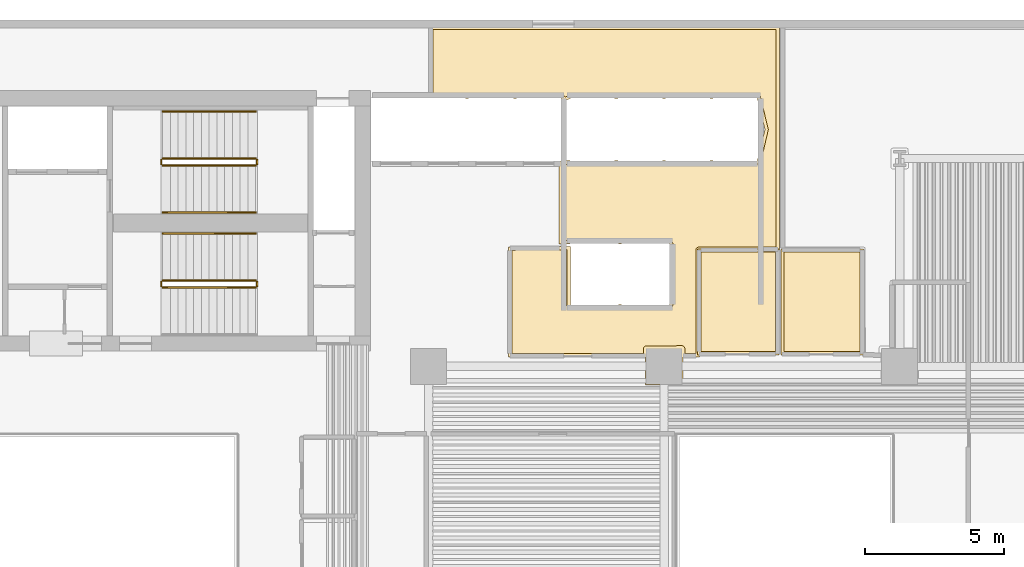
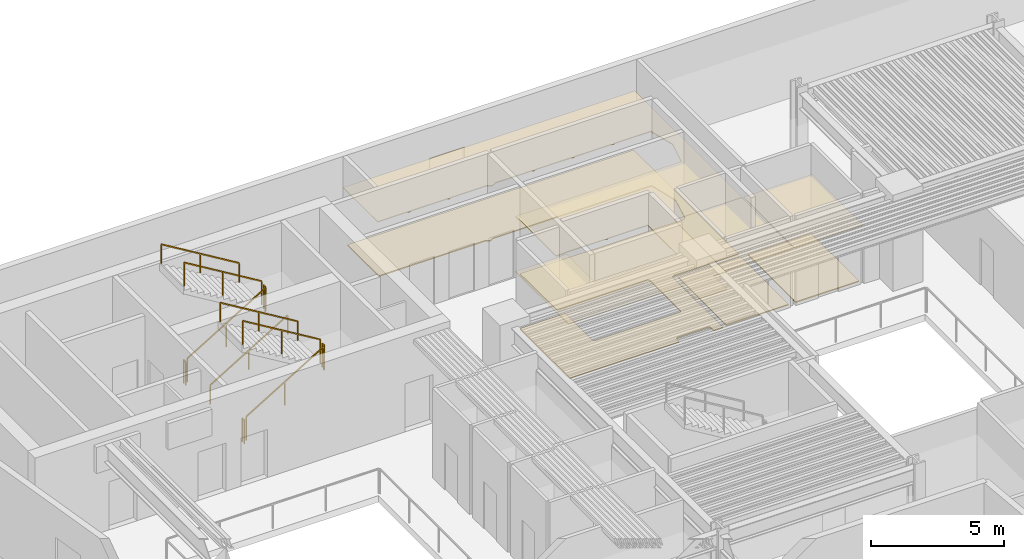
# One storey, part 10 of 11: 11 railings, 6 coverings.
"""IFC4 building model written with IfcOpenShell, lengths in metres."""

from ifc_helpers import new_model, si_unit, direction, frame, origin, origin_2d, place, context, subcontext, project, spatial, polyline, rectangle, outline, extrude, material, layer, layer_set, type_object, element, save


model = new_model("IFC4")

# Units and contexts
model_context = context("Model", 3, precision=1e-05, world=origin(), true_north=direction((0.0, 1.0)))
body_context = subcontext(model_context, "Body", "Model", "MODEL_VIEW")
ifc_project = project(units=[si_unit("LENGTHUNIT", "METRE"), si_unit("AREAUNIT", "SQUARE_METRE"), si_unit("VOLUMEUNIT", "CUBIC_METRE"), si_unit("PLANEANGLEUNIT", "RADIAN"), si_unit("MASSUNIT", "GRAM", prefix="KILO")], contexts=[model_context])

# Site, building, storey
site_placement = place(None, origin())
site = spatial("IfcSite", under=ifc_project, at=site_placement, CompositionType="ELEMENT")
building_placement = place(site_placement, origin())
building = spatial("IfcBuilding", under=site, at=building_placement, Name="Caeloran Harvest Quay", CompositionType="ELEMENT")
storey_placement = place(building_placement, frame((0.0, 0.0, 44.60009765625)))
storey = spatial("IfcBuildingStorey", under=building, at=storey_placement, Name="L10", CompositionType="ELEMENT", Elevation=44.60009765625)

# Coverings
ifc_material_1 = material(Name="Perforated Mineral-Fibre Acoustic Ceiling Tile", Category="ceiling")
ifc_layer_1 = layer(ifc_material_1, 0.0400390625, Name="Perforated Mineral-Fibre Acoustic Ceiling Tile")
ifc_layer_set_1 = layer_set([ifc_layer_1], Name="Perforated Mineral-Fibre Acoustic Ceiling Tile")
covering_type_1 = type_object("IfcCoveringType", Name="COV-CEILING-ACOUSTIC", PredefinedType="CEILING", material=ifc_layer_set_1)
covering_1_placement = place(storey_placement, frame((0.0, 0.0, 2.599853515625)))
element("IfcCovering", 1, at=covering_1_placement, inside=storey, type_object=covering_type_1, Name="L10 Core Telemetry West Room Acoustic Ceiling", PredefinedType="CEILING", context=body_context, shape_type="SweptSolid", body=[
    extrude(outline(polyline([(38.139892578125, 35.239990234375), (38.139892578125, 31.409912109375), (35.2099609375, 31.409912109375), (35.2099609375, 35.239990234375), (38.139892578125, 35.239990234375)])), origin(), (0.0, 0.0, 1.0), 0.0400390625),
])
covering_2_placement = place(storey_placement, frame((0.0, 0.0, 2.599853515625)))
element("IfcCovering", 2, at=covering_2_placement, inside=storey, type_object=covering_type_1, Name="L10 Core Metering East Room Acoustic Ceiling", PredefinedType="CEILING", context=body_context, shape_type="SweptSolid", body=[
    extrude(outline(polyline([(41.18994140625, 35.239990234375), (41.18994140625, 31.409912109375), (38.2099609375, 31.409912109375), (38.2099609375, 35.239990234375), (41.18994140625, 35.239990234375)])), origin(), (0.0, 0.0, 1.0), 0.0400390625),
])
covering_3_placement = place(storey_placement, frame((0.0, 0.0, 2.599853515625)))
element("IfcCovering", 3, at=covering_3_placement, inside=storey, type_object=covering_type_1, Name="Saffron and Herb Vertical Growing Room 9 Acoustic Ceiling", PredefinedType="CEILING", context=body_context, shape_type="SweptSolid", body=[
    extrude(outline(polyline([(34.669921875, 30.330078125), (33.330078125, 30.330078125), (33.330078125, 31.340087890625), (28.389892578125, 31.340087890625), (28.389892578125, 35.31005859375), (30.212890625, 35.31005859375), (30.22021484375, 35.330078125), (30.610107421875, 35.330078125), (30.610107421875, 33.2099609375), (32.34130859375, 33.2099609375), (32.34423828125, 33.2294921875), (32.39990234375, 33.23779296875), (32.452880859375, 33.22998046875), (32.4580078125, 33.2099609375), (34.18994140625, 33.2099609375), (34.18994140625, 35.43994140625), (32.458740234375, 35.43994140625), (32.455810546875, 35.42041015625), (32.39990234375, 35.412109375), (32.346923828125, 35.420166015625), (32.342041015625, 35.43994140625), (30.607177734375, 35.43994140625), (30.599853515625, 35.419921875), (30.2099609375, 35.419921875), (30.2099609375, 38.212890625), (30.18994140625, 38.22021484375), (30.18994140625, 38.409912109375), (30.27294921875, 38.409912109375), (30.280029296875, 38.429931640625), (30.599853515625, 38.429931640625), (30.607177734375, 38.409912109375), (32.211181640625, 38.409912109375), (32.214111328125, 38.429443359375), (32.27001953125, 38.437744140625), (32.322998046875, 38.429931640625), (32.327880859375, 38.409912109375), (33.931396484375, 38.409912109375), (33.93408203125, 38.429443359375), (33.989990234375, 38.437744140625), (34.04296875, 38.429931640625), (34.0478515625, 38.409912109375), (35.6513671875, 38.409912109375), (35.654296875, 38.429443359375), (35.7099609375, 38.437744140625), (35.762939453125, 38.429931640625), (35.767822265625, 38.409912109375), (37.3701171875, 38.409912109375), (37.3701171875, 38.483642578125), (37.63720703125, 39.550048828125), (37.3701171875, 40.6162109375), (37.3701171875, 40.68994140625), (35.768798828125, 40.68994140625), (35.765869140625, 40.67041015625), (35.7099609375, 40.662109375), (35.656982421875, 40.670166015625), (35.652099609375, 40.68994140625), (34.048583984375, 40.68994140625), (34.0458984375, 40.67041015625), (33.989990234375, 40.662109375), (33.93701171875, 40.670166015625), (33.93212890625, 40.68994140625), (32.32861328125, 40.68994140625), (32.32568359375, 40.67041015625), (32.27001953125, 40.662109375), (32.217041015625, 40.670166015625), (32.212158203125, 40.68994140625), (30.610107421875, 40.68994140625), (30.610107421875, 40.67138671875), (30.43994140625, 40.591064453125), (30.27001953125, 40.67138671875), (30.27001953125, 40.68994140625), (28.668701171875, 40.68994140625), (28.665771484375, 40.67041015625), (28.610107421875, 40.662109375), (28.556884765625, 40.670166015625), (28.552001953125, 40.68994140625), (26.94873046875, 40.68994140625), (26.94580078125, 40.67041015625), (26.889892578125, 40.662109375), (26.8369140625, 40.670166015625), (26.83203125, 40.68994140625), (25.5400390625, 40.68994140625), (25.5400390625, 43.280029296875), (38.159912109375, 43.280029296875), (38.159912109375, 35.132080078125), (38.09619140625, 35.18994140625), (35.260009765625, 35.18994140625), (35.260009765625, 31.45703125), (35.280029296875, 31.449951171875), (35.280029296875, 31.340087890625), (34.669921875, 31.340087890625), (34.669921875, 30.330078125)])), origin(), (0.0, 0.0, 1.0), 0.0400390625),
])
ifc_material_2 = material(Name="Calcium-Sulphate Raised Access Floor and Terrazzo Finish", Category="flooring")
ifc_layer_2 = layer(ifc_material_2, 0.050048828125, Name="Calcium-Sulphate Raised Access Floor and Terrazzo Finish")
ifc_layer_set_2 = layer_set([ifc_layer_2], Name="Calcium-Sulphate Raised Access Floor and Terrazzo Finish")
covering_type_2 = type_object("IfcCoveringType", Name="COV-FLOOR-RAISED", PredefinedType="FLOORING", material=ifc_layer_set_2)
covering_4_placement = place(storey_placement, origin())
element("IfcCovering", 4, at=covering_4_placement, inside=storey, type_object=covering_type_2, Name="L10 Core Telemetry West Room Raised Finish Flooring", PredefinedType="FLOORING", context=body_context, shape_type="SweptSolid", body=[
    extrude(outline(polyline([(38.02001953125, 35.1201171875), (38.02001953125, 31.530029296875), (35.330078125, 31.530029296875), (35.330078125, 35.1201171875), (38.02001953125, 35.1201171875)])), origin(), (0.0, 0.0, 1.0), 0.0498046875),
])
covering_5_placement = place(storey_placement, origin())
element("IfcCovering", 5, at=covering_5_placement, inside=storey, type_object=covering_type_2, Name="L10 Core Metering East Room Raised Finish Flooring", PredefinedType="FLOORING", context=body_context, shape_type="SweptSolid", body=[
    extrude(outline(polyline([(41.070068359375, 35.1201171875), (41.070068359375, 31.530029296875), (38.330078125, 31.530029296875), (38.330078125, 35.1201171875), (41.070068359375, 35.1201171875)])), origin(), (0.0, 0.0, 1.0), 0.0498046875),
])
covering_6_placement = place(storey_placement, origin())
element("IfcCovering", 6, at=covering_6_placement, inside=storey, type_object=covering_type_2, Name="Saffron and Herb Vertical Growing Room 9 Raised Finish Flooring", PredefinedType="FLOORING", context=body_context, shape_type="SweptSolid", body=[
    extrude(outline(polyline([(30.280029296875, 40.81005859375), (25.659912109375, 40.81005859375), (25.659912109375, 43.159912109375), (38.0400390625, 43.159912109375), (38.0400390625, 35.31005859375), (35.25, 35.31005859375), (35.16259765625, 35.2666015625), (35.139892578125, 35.199951171875), (35.139892578125, 31.4599609375), (34.7451171875, 31.4599609375), (34.74169921875, 31.688232421875), (34.6650390625, 31.7451171875), (33.3193359375, 31.743408203125), (33.256591796875, 31.6806640625), (33.2548828125, 31.4599609375), (28.510009765625, 31.4599609375), (28.510009765625, 35.18994140625), (30.489990234375, 35.2099609375), (30.489990234375, 33.196044921875), (30.5615234375, 33.096923828125), (34.2578125, 33.1064453125), (34.31005859375, 33.199951171875), (34.31005859375, 35.449951171875), (34.2578125, 35.543701171875), (30.330078125, 35.5400390625), (30.31005859375, 38.294189453125), (37.415771484375, 38.2958984375), (37.486328125, 38.371826171875), (37.75830078125, 39.546142578125), (37.46240234375, 40.772705078125), (37.3798828125, 40.81005859375), (30.60009765625, 40.81005859375), (30.43994140625, 40.723876953125), (30.280029296875, 40.81005859375)])), origin(), (0.0, 0.0, 1.0), 0.0498046875),
])

# Railings
ifc_material_3 = material(Name="Painted Steel Baluster and Top-Rail Stair Guard", Category="steel")
ifc_layer_3 = layer(ifc_material_3, 0.050048828125, Name="Painted Steel Baluster and Top-Rail Stair Guard")
ifc_layer_set_3 = layer_set([ifc_layer_3], Name="Painted Steel Baluster and Top-Rail Stair Guard")
railing_type_1 = type_object("IfcRailingType", Name="STAIR-GUARD-1100", PredefinedType="GUARDRAIL", material=ifc_layer_set_3)
railing_1_placement = place(storey_placement, frame((15.89990234375, 38.25, 0.169189453125)))
element("IfcRailing", 7, at=railing_1_placement, inside=storey, type_object=railing_type_1, Name="L10 ST-C1 stair guard 1", PredefinedType="GUARDRAIL", context=body_context, shape_type="SweptSolid", body=[
    extrude(rectangle(XDim=0.048095703125, YDim=0.048095703125, at=origin_2d()), frame((0.0, 0.0, 1.076171875), z_axis=(0.855836976705, 0.0, 0.517245656632), x_axis=(0.0, 1.0, 0.0)), (0.0, 0.0, 1.0), 3.926025390625),
    extrude(rectangle(XDim=0.0419921875, YDim=0.0419921875, at=origin_2d()), origin(), (0.0, 0.0, 1.0), 1.052001953125),
    extrude(rectangle(XDim=0.0419921875, YDim=0.0419921875, at=origin_2d()), frame((1.68017578125, 0.0, 1.015380859375)), (0.0, 0.0, 1.0), 1.052001953125),
    extrude(rectangle(XDim=0.0419921875, YDim=0.0419921875, at=origin_2d()), frame((3.360107421875, 0.0, 2.03076171875)), (0.0, 0.0, 1.0), 1.052001953125),
])
railing_2_placement = place(storey_placement, frame((19.31005859375, 38.300048828125, 2.199951171875)))
element("IfcRailing", 8, at=railing_2_placement, inside=storey, type_object=railing_type_1, Name="L10 ST-C1 stair guard 2", PredefinedType="GUARDRAIL", context=body_context, shape_type="SweptSolid", body=[
    extrude(rectangle(XDim=0.048095703125, YDim=0.048095703125, at=origin_2d()), frame((0.0, 0.0, 1.076171875), z_axis=(0.0, 1.0, 0.0), x_axis=(-1.0, 0.0, 0.0)), (0.0, 0.0, 1.0), 0.14990234375),
    extrude(rectangle(XDim=0.0419921875, YDim=0.0419921875, at=origin_2d()), origin(), (0.0, 0.0, 1.0), 1.052001953125),
    extrude(rectangle(XDim=0.0419921875, YDim=0.0419921875, at=origin_2d()), frame((0.0, 0.14990234375, 0.0)), (0.0, 0.0, 1.0), 1.052001953125),
])
railing_3_placement = place(storey_placement, frame((19.260009765625, 38.5, 2.369140625)))
element("IfcRailing", 9, at=railing_3_placement, inside=storey, type_object=railing_type_1, Name="L10 ST-C1 stair guard 3", PredefinedType="GUARDRAIL", context=body_context, shape_type="SweptSolid", body=[
    extrude(rectangle(XDim=0.048095703125, YDim=0.048095703125, at=origin_2d()), frame((0.0, 0.0, 1.076171875), z_axis=(-0.855836976705, 0.0, 0.517245656632), x_axis=(0.0, -1.0, 0.0)), (0.0, 0.0, 1.0), 3.926025390625),
    extrude(rectangle(XDim=0.0419921875, YDim=0.0419921875, at=origin_2d()), origin(), (0.0, 0.0, 1.0), 1.052001953125),
    extrude(rectangle(XDim=0.0419921875, YDim=0.0419921875, at=origin_2d()), frame((-1.68017578125, 0.0, 1.015380859375)), (0.0, 0.0, 1.0), 1.052001953125),
    extrude(rectangle(XDim=0.0419921875, YDim=0.0419921875, at=origin_2d()), frame((-3.360107421875, 0.0, 2.03076171875)), (0.0, 0.0, 1.0), 1.052001953125),
])
railing_4_placement = place(storey_placement, frame((15.85009765625, 38.300048828125, 0.0)))
element("IfcRailing", 10, at=railing_4_placement, inside=storey, type_object=railing_type_1, Name="L10 ST-C1 stair guard 4", PredefinedType="GUARDRAIL", context=body_context, shape_type="SweptSolid", body=[
    extrude(rectangle(XDim=0.048095703125, YDim=0.048095703125, at=origin_2d()), frame((0.0, 0.0, 1.076171875), z_axis=(0.0, 1.0, 0.0), x_axis=(-1.0, 0.0, 0.0)), (0.0, 0.0, 1.0), 0.14990234375),
    extrude(rectangle(XDim=0.0419921875, YDim=0.0419921875, at=origin_2d()), origin(), (0.0, 0.0, 1.0), 1.052001953125),
    extrude(rectangle(XDim=0.0419921875, YDim=0.0419921875, at=origin_2d()), frame((0.0, 0.14990234375, 0.0)), (0.0, 0.0, 1.0), 1.052001953125),
])
railing_5_placement = place(storey_placement, frame((15.89990234375, 33.85009765625, 0.169189453125)))
element("IfcRailing", 11, at=railing_5_placement, inside=storey, type_object=railing_type_1, Name="L10 ST-C2 stair guard 1", PredefinedType="GUARDRAIL", context=body_context, shape_type="SweptSolid", body=[
    extrude(rectangle(XDim=0.048095703125, YDim=0.048095703125, at=origin_2d()), frame((0.0, 0.0, 1.076171875), z_axis=(0.855836976705, 0.0, 0.517245656632), x_axis=(0.0, 1.0, 0.0)), (0.0, 0.0, 1.0), 3.926025390625),
    extrude(rectangle(XDim=0.0419921875, YDim=0.0419921875, at=origin_2d()), origin(), (0.0, 0.0, 1.0), 1.052001953125),
    extrude(rectangle(XDim=0.0419921875, YDim=0.0419921875, at=origin_2d()), frame((1.68017578125, 0.0, 1.015380859375)), (0.0, 0.0, 1.0), 1.052001953125),
    extrude(rectangle(XDim=0.0419921875, YDim=0.0419921875, at=origin_2d()), frame((3.360107421875, 0.0, 2.03076171875)), (0.0, 0.0, 1.0), 1.052001953125),
])
railing_6_placement = place(storey_placement, frame((19.31005859375, 33.89990234375, 2.199951171875)))
element("IfcRailing", 12, at=railing_6_placement, inside=storey, type_object=railing_type_1, Name="L10 ST-C2 stair guard 2", PredefinedType="GUARDRAIL", context=body_context, shape_type="SweptSolid", body=[
    extrude(rectangle(XDim=0.048095703125, YDim=0.048095703125, at=origin_2d()), frame((0.0, 0.0, 1.076171875), z_axis=(0.0, 1.0, 0.0), x_axis=(-1.0, 0.0, 0.0)), (0.0, 0.0, 1.0), 0.150146484375),
    extrude(rectangle(XDim=0.0419921875, YDim=0.0419921875, at=origin_2d()), origin(), (0.0, 0.0, 1.0), 1.052001953125),
    extrude(rectangle(XDim=0.0419921875, YDim=0.0419921875, at=origin_2d()), frame((0.0, 0.150146484375, 0.0)), (0.0, 0.0, 1.0), 1.052001953125),
])
railing_7_placement = place(storey_placement, frame((19.260009765625, 34.10009765625, 2.369140625)))
element("IfcRailing", 13, at=railing_7_placement, inside=storey, type_object=railing_type_1, Name="L10 ST-C2 stair guard 3", PredefinedType="GUARDRAIL", context=body_context, shape_type="SweptSolid", body=[
    extrude(rectangle(XDim=0.048095703125, YDim=0.048095703125, at=origin_2d()), frame((0.0, 0.0, 1.076171875), z_axis=(-0.855836976705, 0.0, 0.517245656632), x_axis=(0.0, -1.0, 0.0)), (0.0, 0.0, 1.0), 3.926025390625),
    extrude(rectangle(XDim=0.0419921875, YDim=0.0419921875, at=origin_2d()), origin(), (0.0, 0.0, 1.0), 1.052001953125),
    extrude(rectangle(XDim=0.0419921875, YDim=0.0419921875, at=origin_2d()), frame((-1.68017578125, 0.0, 1.015380859375)), (0.0, 0.0, 1.0), 1.052001953125),
    extrude(rectangle(XDim=0.0419921875, YDim=0.0419921875, at=origin_2d()), frame((-3.360107421875, 0.0, 2.03076171875)), (0.0, 0.0, 1.0), 1.052001953125),
])
railing_8_placement = place(storey_placement, frame((15.85009765625, 33.89990234375, 0.0)))
element("IfcRailing", 14, at=railing_8_placement, inside=storey, type_object=railing_type_1, Name="L10 ST-C2 stair guard 4", PredefinedType="GUARDRAIL", context=body_context, shape_type="SweptSolid", body=[
    extrude(rectangle(XDim=0.048095703125, YDim=0.048095703125, at=origin_2d()), frame((0.0, 0.0, 1.076171875), z_axis=(0.0, 1.0, 0.0), x_axis=(-1.0, 0.0, 0.0)), (0.0, 0.0, 1.0), 0.150146484375),
    extrude(rectangle(XDim=0.0419921875, YDim=0.0419921875, at=origin_2d()), origin(), (0.0, 0.0, 1.0), 1.052001953125),
    extrude(rectangle(XDim=0.0419921875, YDim=0.0419921875, at=origin_2d()), frame((0.0, 0.150146484375, 0.0)), (0.0, 0.0, 1.0), 1.052001953125),
])
ifc_material_4 = material(Name="Brushed Stainless Steel Grade 304", Category="steel")
ifc_layer_4 = layer(ifc_material_4, 0.050048828125, Name="Brushed Stainless Steel Grade 304")
ifc_layer_set_4 = layer_set([ifc_layer_4], Name="Brushed Stainless Steel Grade 304")
railing_type_2 = type_object("IfcRailingType", Name="STAIR-HANDRAIL-900", PredefinedType="HANDRAIL", material=ifc_layer_set_4)
railing_9_placement = place(storey_placement, frame((15.89990234375, 36.550048828125, 0.169189453125)))
element("IfcRailing", 15, at=railing_9_placement, inside=storey, type_object=railing_type_2, Name="L10 ST-C1 stair handrail 1", PredefinedType="HANDRAIL", context=body_context, shape_type="SweptSolid", body=[
    extrude(rectangle(XDim=0.048095703125, YDim=0.048095703125, at=origin_2d()), frame((0.0, 0.0, 0.8759765625), z_axis=(0.855836976705, 0.0, 0.517245656632), x_axis=(0.0, 1.0, 0.0)), (0.0, 0.0, 1.0), 3.926025390625),
    extrude(rectangle(XDim=0.0419921875, YDim=0.0419921875, at=origin_2d()), origin(), (0.0, 0.0, 1.0), 0.851806640625),
    extrude(rectangle(XDim=0.0419921875, YDim=0.0419921875, at=origin_2d()), frame((1.68017578125, 0.0, 1.015380859375)), (0.0, 0.0, 1.0), 0.851806640625),
    extrude(rectangle(XDim=0.0419921875, YDim=0.0419921875, at=origin_2d()), frame((3.360107421875, 0.0, 2.03076171875)), (0.0, 0.0, 1.0), 0.851806640625),
])
for number, where, name in (
    (16, (19.260009765625, 40.199951171875, 2.369140625), "L10 ST-C1 stair handrail 2"),
    (17, (19.260009765625, 35.800048828125, 2.369140625), "L10 ST-C2 stair handrail 2"),
):
    element("IfcRailing", number, at=place(storey_placement, frame(where)), inside=storey, type_object=railing_type_2, Name=name, PredefinedType="HANDRAIL", context=body_context, shape_type="SweptSolid", body=[
        extrude(rectangle(XDim=0.048095703125, YDim=0.048095703125, at=origin_2d()), frame((0.0, 0.0, 0.8759765625), z_axis=(-0.855836976705, 0.0, 0.517245656632), x_axis=(0.0, -1.0, 0.0)), (0.0, 0.0, 1.0), 3.926025390625),
        extrude(rectangle(XDim=0.0419921875, YDim=0.0419921875, at=origin_2d()), origin(), (0.0, 0.0, 1.0), 0.851806640625),
        extrude(rectangle(XDim=0.0419921875, YDim=0.0419921875, at=origin_2d()), frame((-1.68017578125, 0.0, 1.015380859375)), (0.0, 0.0, 1.0), 0.851806640625),
        extrude(rectangle(XDim=0.0419921875, YDim=0.0419921875, at=origin_2d()), frame((-3.360107421875, 0.0, 2.03076171875)), (0.0, 0.0, 1.0), 0.851806640625),
    ])

save(model, "model.ifc")
